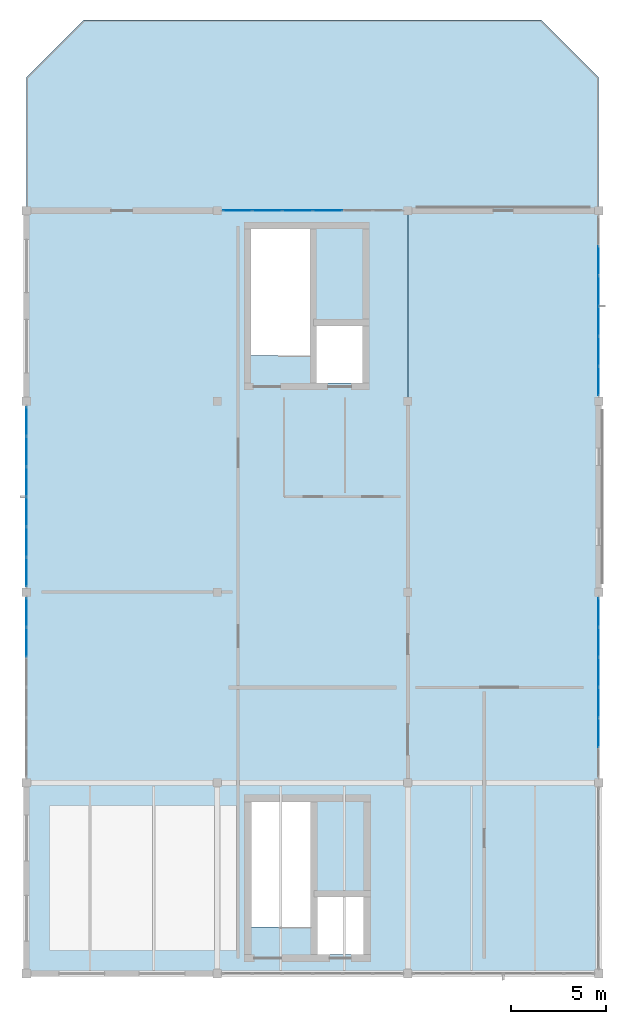
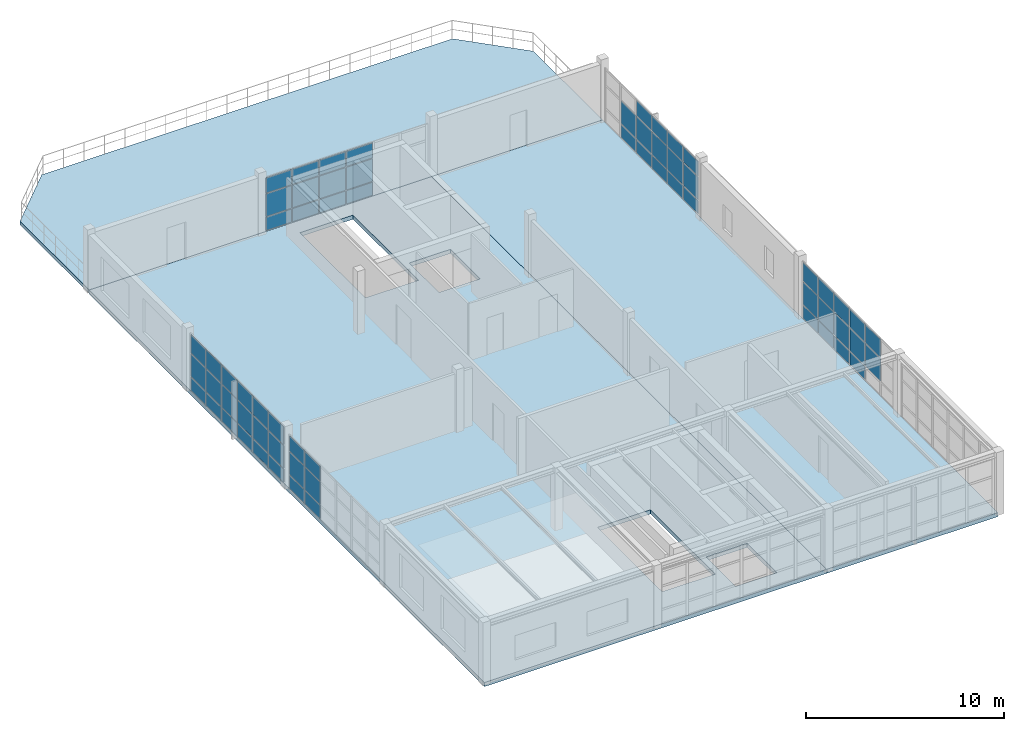
# One storey, part 8 of 11: 64 plates, 3 slabs, 5 elements without a shape of their own.
"""IFC4 building model written with IfcOpenShell, lengths in metres."""

from ifc_helpers import new_model, si_unit, direction, frame, origin, origin_2d, place, context, subcontext, project, spatial, polyline, rectangle, outline, extrude, material, layer, layer_set, type_object, element, aggregate, save


model = new_model("IFC4")

# Units and contexts
model_context = context("Model", 3, precision=1e-05, world=origin(), true_north=direction((0.0, 1.0)))
body_context = subcontext(model_context, "Body", "Model", "MODEL_VIEW")
ifc_project = project(units=[si_unit("LENGTHUNIT", "METRE"), si_unit("AREAUNIT", "SQUARE_METRE"), si_unit("VOLUMEUNIT", "CUBIC_METRE"), si_unit("PLANEANGLEUNIT", "RADIAN"), si_unit("MASSUNIT", "GRAM", prefix="KILO"), si_unit("THERMODYNAMICTEMPERATUREUNIT", "KELVIN"), si_unit("POWERUNIT", "WATT")], contexts=[model_context])

# Site, building, storey
site_placement = place(None, origin())
site = spatial("IfcSite", under=ifc_project, at=site_placement, CompositionType="ELEMENT")
building_placement = place(site_placement, origin())
building = spatial("IfcBuilding", under=site, at=building_placement, Name="Korenveer Ferry Terminal", CompositionType="ELEMENT")
storey_placement = place(building_placement, frame((0.0, 0.0, 18.300048828125)))
storey = spatial("IfcBuildingStorey", under=building, at=storey_placement, Name="L04", CompositionType="ELEMENT", Elevation=18.300048828125)

# Curtain wall, plates
ifc_material_1 = material(Name="Unitised bronze-and-glass curtain wall", Category="glass")
ifc_layer_1 = layer(ifc_material_1, 0.159912109375)
ifc_layer_set_1 = layer_set([ifc_layer_1], Name="Unitised bronze-and-glass curtain wall")
curtain_wall_type_1 = type_object("IfcCurtainWallType", Name="ENV-CW-131", PredefinedType="USERDEFINED", material=ifc_layer_set_1)
curtain_wall_1_placement = place(storey_placement, frame((10.2548828125, 60.0, 0.0)))
curtain_wall_1 = element("IfcCurtainWall", 1, at=curtain_wall_1_placement, inside=storey, type_object=curtain_wall_type_1, Name="Lancet curtain wall CWX-L04-X10-20-Y60-60", ObjectType="UNITISED CURTAIN WALL", PredefinedType="USERDEFINED")
ifc_material_2 = material(Name="Low-iron solar-control double glazing", Category="glass")
ifc_layer_2 = layer(ifc_material_2, 0.028076171875)
ifc_layer_set_2 = layer_set([ifc_layer_2], Name="Low-iron solar-control double glazing")
plate_type = type_object("IfcPlateType", Name="ENV-CWP-GLZ28", PredefinedType="CURTAIN_PANEL", material=ifc_layer_set_2)
plate_1_placement = place(storey_placement, frame((11.060791015625, 60.0, 0.059814453125), z_axis=(0.0, 0.0, 1.0), x_axis=(1.0, 0.0, 0.0)))
plate_1 = element("IfcPlate", 2, at=plate_1_placement, type_object=plate_type, Name="CW-131 panel 1.1", PredefinedType="CURTAIN_PANEL", context=body_context, shape_type="SweptSolid", body=[
    extrude(rectangle(XDim=1.49169921875, YDim=0.028076171875, at=origin_2d()), origin(), (0.0, 0.0, 1.0), 0.81005859375),
])
plate_2_placement = place(storey_placement, frame((11.060791015625, 60.0, 0.93017578125), z_axis=(0.0, 0.0, 1.0), x_axis=(1.0, 0.0, 0.0)))
plate_2 = element("IfcPlate", 3, at=plate_2_placement, type_object=plate_type, Name="CW-131 panel 1.2", PredefinedType="CURTAIN_PANEL", context=body_context, shape_type="SweptSolid", body=[
    extrude(rectangle(XDim=1.49169921875, YDim=0.028076171875, at=origin_2d()), origin(), (0.0, 0.0, 1.0), 1.389892578125),
])
plate_3_placement = place(storey_placement, frame((11.060791015625, 60.0, 2.3798828125), z_axis=(0.0, 0.0, 1.0), x_axis=(1.0, 0.0, 0.0)))
plate_3 = element("IfcPlate", 4, at=plate_3_placement, type_object=plate_type, Name="CW-131 panel 1.3", PredefinedType="CURTAIN_PANEL", context=body_context, shape_type="SweptSolid", body=[
    extrude(rectangle(XDim=1.49169921875, YDim=0.028076171875, at=origin_2d()), origin(), (0.0, 0.0, 1.0), 0.919921875),
])
plate_4_placement = place(storey_placement, frame((12.62744140625, 60.0, 0.059814453125), z_axis=(0.0, 0.0, 1.0), x_axis=(1.0, 0.0, 0.0)))
plate_4 = element("IfcPlate", 5, at=plate_4_placement, type_object=plate_type, Name="CW-131 panel 2.1", PredefinedType="CURTAIN_PANEL", context=body_context, shape_type="SweptSolid", body=[
    extrude(rectangle(XDim=1.521728515625, YDim=0.028076171875, at=origin_2d()), origin(), (0.0, 0.0, 1.0), 0.81005859375),
])
plate_5_placement = place(storey_placement, frame((12.62744140625, 60.0, 0.93017578125), z_axis=(0.0, 0.0, 1.0), x_axis=(1.0, 0.0, 0.0)))
plate_5 = element("IfcPlate", 6, at=plate_5_placement, type_object=plate_type, Name="CW-131 panel 2.2", PredefinedType="CURTAIN_PANEL", context=body_context, shape_type="SweptSolid", body=[
    extrude(rectangle(XDim=1.521728515625, YDim=0.028076171875, at=origin_2d()), origin(), (0.0, 0.0, 1.0), 1.389892578125),
])
plate_6_placement = place(storey_placement, frame((12.62744140625, 60.0, 2.3798828125), z_axis=(0.0, 0.0, 1.0), x_axis=(1.0, 0.0, 0.0)))
plate_6 = element("IfcPlate", 7, at=plate_6_placement, type_object=plate_type, Name="CW-131 panel 2.3", PredefinedType="CURTAIN_PANEL", context=body_context, shape_type="SweptSolid", body=[
    extrude(rectangle(XDim=1.521728515625, YDim=0.028076171875, at=origin_2d()), origin(), (0.0, 0.0, 1.0), 0.919921875),
])
plate_7_placement = place(storey_placement, frame((14.209228515625, 60.0, 0.059814453125), z_axis=(0.0, 0.0, 1.0), x_axis=(1.0, 0.0, 0.0)))
plate_7 = element("IfcPlate", 8, at=plate_7_placement, type_object=plate_type, Name="CW-131 panel 3.1", PredefinedType="CURTAIN_PANEL", context=body_context, shape_type="SweptSolid", body=[
    extrude(rectangle(XDim=1.521728515625, YDim=0.028076171875, at=origin_2d()), origin(), (0.0, 0.0, 1.0), 0.81005859375),
])
plate_8_placement = place(storey_placement, frame((14.209228515625, 60.0, 0.93017578125), z_axis=(0.0, 0.0, 1.0), x_axis=(1.0, 0.0, 0.0)))
plate_8 = element("IfcPlate", 9, at=plate_8_placement, type_object=plate_type, Name="CW-131 panel 3.2", PredefinedType="CURTAIN_PANEL", context=body_context, shape_type="SweptSolid", body=[
    extrude(rectangle(XDim=1.521728515625, YDim=0.028076171875, at=origin_2d()), origin(), (0.0, 0.0, 1.0), 1.389892578125),
])
plate_9_placement = place(storey_placement, frame((14.209228515625, 60.0, 2.3798828125), z_axis=(0.0, 0.0, 1.0), x_axis=(1.0, 0.0, 0.0)))
plate_9 = element("IfcPlate", 10, at=plate_9_placement, type_object=plate_type, Name="CW-131 panel 3.3", PredefinedType="CURTAIN_PANEL", context=body_context, shape_type="SweptSolid", body=[
    extrude(rectangle(XDim=1.521728515625, YDim=0.028076171875, at=origin_2d()), origin(), (0.0, 0.0, 1.0), 0.919921875),
])
plate_10_placement = place(storey_placement, frame((15.790771484375, 60.0, 0.059814453125), z_axis=(0.0, 0.0, 1.0), x_axis=(1.0, 0.0, 0.0)))
plate_10 = element("IfcPlate", 11, at=plate_10_placement, type_object=plate_type, Name="CW-131 panel 4.1", PredefinedType="CURTAIN_PANEL", context=body_context, shape_type="SweptSolid", body=[
    extrude(rectangle(XDim=1.521728515625, YDim=0.028076171875, at=origin_2d()), origin(), (0.0, 0.0, 1.0), 0.81005859375),
])
plate_11_placement = place(storey_placement, frame((15.790771484375, 60.0, 0.93017578125), z_axis=(0.0, 0.0, 1.0), x_axis=(1.0, 0.0, 0.0)))
plate_11 = element("IfcPlate", 12, at=plate_11_placement, type_object=plate_type, Name="CW-131 panel 4.2", PredefinedType="CURTAIN_PANEL", context=body_context, shape_type="SweptSolid", body=[
    extrude(rectangle(XDim=1.521728515625, YDim=0.028076171875, at=origin_2d()), origin(), (0.0, 0.0, 1.0), 1.389892578125),
])
plate_12_placement = place(storey_placement, frame((15.790771484375, 60.0, 2.3798828125), z_axis=(0.0, 0.0, 1.0), x_axis=(1.0, 0.0, 0.0)))
plate_12 = element("IfcPlate", 13, at=plate_12_placement, type_object=plate_type, Name="CW-131 panel 4.3", PredefinedType="CURTAIN_PANEL", context=body_context, shape_type="SweptSolid", body=[
    extrude(rectangle(XDim=1.521728515625, YDim=0.028076171875, at=origin_2d()), origin(), (0.0, 0.0, 1.0), 0.919921875),
])
aggregate(curtain_wall_1, [plate_1, plate_2, plate_3, plate_4, plate_5, plate_6, plate_7, plate_8, plate_9, plate_10, plate_11, plate_12])

curtain_wall_2_placement = place(storey_placement, frame((0.0, 30.2548828125, 0.0)))
curtain_wall_2 = element("IfcCurtainWall", 14, at=curtain_wall_2_placement, inside=storey, type_object=curtain_wall_type_1, Name="Lancet curtain wall CWX-L04-X0-0-Y30-40", ObjectType="UNITISED CURTAIN WALL", PredefinedType="USERDEFINED")
plate_13_placement = place(storey_placement, frame((0.0, 37.37255859375, 0.059814453125), z_axis=(0.0, 0.0, 1.0), x_axis=(0.0, 1.0, 0.0)))
plate_13 = element("IfcPlate", 15, at=plate_13_placement, type_object=plate_type, Name="CW-131 panel 5.1", PredefinedType="CURTAIN_PANEL", context=body_context, shape_type="SweptSolid", body=[
    extrude(rectangle(XDim=1.521728515625, YDim=0.028076171875, at=origin_2d()), origin(), (0.0, 0.0, 1.0), 0.81005859375),
])
plate_14_placement = place(storey_placement, frame((0.0, 37.37255859375, 0.93017578125), z_axis=(0.0, 0.0, 1.0), x_axis=(0.0, 1.0, 0.0)))
plate_14 = element("IfcPlate", 16, at=plate_14_placement, type_object=plate_type, Name="CW-131 panel 5.2", PredefinedType="CURTAIN_PANEL", context=body_context, shape_type="SweptSolid", body=[
    extrude(rectangle(XDim=1.521728515625, YDim=0.028076171875, at=origin_2d()), origin(), (0.0, 0.0, 1.0), 1.389892578125),
])
plate_15_placement = place(storey_placement, frame((0.0, 37.37255859375, 2.3798828125), z_axis=(0.0, 0.0, 1.0), x_axis=(0.0, 1.0, 0.0)))
plate_15 = element("IfcPlate", 17, at=plate_15_placement, type_object=plate_type, Name="CW-131 panel 5.3", PredefinedType="CURTAIN_PANEL", context=body_context, shape_type="SweptSolid", body=[
    extrude(rectangle(XDim=1.521728515625, YDim=0.028076171875, at=origin_2d()), origin(), (0.0, 0.0, 1.0), 0.919921875),
])
plate_16_placement = place(storey_placement, frame((0.0, 38.939208984375, 0.059814453125), z_axis=(0.0, 0.0, 1.0), x_axis=(0.0, 1.0, 0.0)))
plate_16 = element("IfcPlate", 18, at=plate_16_placement, type_object=plate_type, Name="CW-131 panel 6.1", PredefinedType="CURTAIN_PANEL", context=body_context, shape_type="SweptSolid", body=[
    extrude(rectangle(XDim=1.49169921875, YDim=0.028076171875, at=origin_2d()), origin(), (0.0, 0.0, 1.0), 0.81005859375),
])
plate_17_placement = place(storey_placement, frame((0.0, 38.939208984375, 0.93017578125), z_axis=(0.0, 0.0, 1.0), x_axis=(0.0, 1.0, 0.0)))
plate_17 = element("IfcPlate", 19, at=plate_17_placement, type_object=plate_type, Name="CW-131 panel 6.2", PredefinedType="CURTAIN_PANEL", context=body_context, shape_type="SweptSolid", body=[
    extrude(rectangle(XDim=1.49169921875, YDim=0.028076171875, at=origin_2d()), origin(), (0.0, 0.0, 1.0), 1.389892578125),
])
plate_18_placement = place(storey_placement, frame((0.0, 38.939208984375, 2.3798828125), z_axis=(0.0, 0.0, 1.0), x_axis=(0.0, 1.0, 0.0)))
plate_18 = element("IfcPlate", 20, at=plate_18_placement, type_object=plate_type, Name="CW-131 panel 6.3", PredefinedType="CURTAIN_PANEL", context=body_context, shape_type="SweptSolid", body=[
    extrude(rectangle(XDim=1.49169921875, YDim=0.028076171875, at=origin_2d()), origin(), (0.0, 0.0, 1.0), 0.919921875),
])
aggregate(curtain_wall_2, [plate_13, plate_14, plate_15, plate_16, plate_17, plate_18])

ifc_layer_3 = layer(ifc_material_1, 0.159912109375)
ifc_layer_set_3 = layer_set([ifc_layer_3], Name="Unitised bronze-and-glass curtain wall")
curtain_wall_type_2 = type_object("IfcCurtainWallType", Name="ENV-CW-132", PredefinedType="USERDEFINED", material=ifc_layer_set_3)
curtain_wall_3_placement = place(storey_placement, frame((0.0, 40.2548828125, 0.0)))
curtain_wall_3 = element("IfcCurtainWall", 21, at=curtain_wall_3_placement, inside=storey, type_object=curtain_wall_type_2, Name="Lancet curtain wall CWX-L04-X0-0-Y40-50", ObjectType="UNITISED CURTAIN WALL", PredefinedType="USERDEFINED")
plate_19_placement = place(storey_placement, frame((0.0, 41.060791015625, 0.059814453125), z_axis=(0.0, 0.0, 1.0), x_axis=(0.0, 1.0, 0.0)))
plate_19 = element("IfcPlate", 22, at=plate_19_placement, type_object=plate_type, Name="CW-132 panel 1.1", PredefinedType="CURTAIN_PANEL", context=body_context, shape_type="SweptSolid", body=[
    extrude(rectangle(XDim=1.49169921875, YDim=0.028076171875, at=origin_2d()), origin(), (0.0, 0.0, 1.0), 0.81005859375),
])
plate_20_placement = place(storey_placement, frame((0.0, 41.060791015625, 0.93017578125), z_axis=(0.0, 0.0, 1.0), x_axis=(0.0, 1.0, 0.0)))
plate_20 = element("IfcPlate", 23, at=plate_20_placement, type_object=plate_type, Name="CW-132 panel 1.2", PredefinedType="CURTAIN_PANEL", context=body_context, shape_type="SweptSolid", body=[
    extrude(rectangle(XDim=1.49169921875, YDim=0.028076171875, at=origin_2d()), origin(), (0.0, 0.0, 1.0), 1.389892578125),
])
plate_21_placement = place(storey_placement, frame((0.0, 41.060791015625, 2.3798828125), z_axis=(0.0, 0.0, 1.0), x_axis=(0.0, 1.0, 0.0)))
plate_21 = element("IfcPlate", 24, at=plate_21_placement, type_object=plate_type, Name="CW-132 panel 1.3", PredefinedType="CURTAIN_PANEL", context=body_context, shape_type="SweptSolid", body=[
    extrude(rectangle(XDim=1.49169921875, YDim=0.028076171875, at=origin_2d()), origin(), (0.0, 0.0, 1.0), 1.1201171875),
])
plate_22_placement = place(storey_placement, frame((0.0, 42.62744140625, 0.059814453125), z_axis=(0.0, 0.0, 1.0), x_axis=(0.0, 1.0, 0.0)))
plate_22 = element("IfcPlate", 25, at=plate_22_placement, type_object=plate_type, Name="CW-132 panel 2.1", PredefinedType="CURTAIN_PANEL", context=body_context, shape_type="SweptSolid", body=[
    extrude(rectangle(XDim=1.521728515625, YDim=0.028076171875, at=origin_2d()), origin(), (0.0, 0.0, 1.0), 0.81005859375),
])
plate_23_placement = place(storey_placement, frame((0.0, 42.62744140625, 0.93017578125), z_axis=(0.0, 0.0, 1.0), x_axis=(0.0, 1.0, 0.0)))
plate_23 = element("IfcPlate", 26, at=plate_23_placement, type_object=plate_type, Name="CW-132 panel 2.2", PredefinedType="CURTAIN_PANEL", context=body_context, shape_type="SweptSolid", body=[
    extrude(rectangle(XDim=1.521728515625, YDim=0.028076171875, at=origin_2d()), origin(), (0.0, 0.0, 1.0), 1.389892578125),
])
plate_24_placement = place(storey_placement, frame((0.0, 42.62744140625, 2.3798828125), z_axis=(0.0, 0.0, 1.0), x_axis=(0.0, 1.0, 0.0)))
plate_24 = element("IfcPlate", 27, at=plate_24_placement, type_object=plate_type, Name="CW-132 panel 2.3", PredefinedType="CURTAIN_PANEL", context=body_context, shape_type="SweptSolid", body=[
    extrude(rectangle(XDim=1.521728515625, YDim=0.028076171875, at=origin_2d()), origin(), (0.0, 0.0, 1.0), 1.1201171875),
])
plate_25_placement = place(storey_placement, frame((0.0, 44.209228515625, 0.059814453125), z_axis=(0.0, 0.0, 1.0), x_axis=(0.0, 1.0, 0.0)))
plate_25 = element("IfcPlate", 28, at=plate_25_placement, type_object=plate_type, Name="CW-132 panel 3.1", PredefinedType="CURTAIN_PANEL", context=body_context, shape_type="SweptSolid", body=[
    extrude(rectangle(XDim=1.521728515625, YDim=0.028076171875, at=origin_2d()), origin(), (0.0, 0.0, 1.0), 0.81005859375),
])
plate_26_placement = place(storey_placement, frame((0.0, 44.209228515625, 0.93017578125), z_axis=(0.0, 0.0, 1.0), x_axis=(0.0, 1.0, 0.0)))
plate_26 = element("IfcPlate", 29, at=plate_26_placement, type_object=plate_type, Name="CW-132 panel 3.2", PredefinedType="CURTAIN_PANEL", context=body_context, shape_type="SweptSolid", body=[
    extrude(rectangle(XDim=1.521728515625, YDim=0.028076171875, at=origin_2d()), origin(), (0.0, 0.0, 1.0), 1.389892578125),
])
plate_27_placement = place(storey_placement, frame((0.0, 44.209228515625, 2.3798828125), z_axis=(0.0, 0.0, 1.0), x_axis=(0.0, 1.0, 0.0)))
plate_27 = element("IfcPlate", 30, at=plate_27_placement, type_object=plate_type, Name="CW-132 panel 3.3", PredefinedType="CURTAIN_PANEL", context=body_context, shape_type="SweptSolid", body=[
    extrude(rectangle(XDim=1.521728515625, YDim=0.028076171875, at=origin_2d()), origin(), (0.0, 0.0, 1.0), 1.1201171875),
])
plate_28_placement = place(storey_placement, frame((0.0, 45.790771484375, 0.059814453125), z_axis=(0.0, 0.0, 1.0), x_axis=(0.0, 1.0, 0.0)))
plate_28 = element("IfcPlate", 31, at=plate_28_placement, type_object=plate_type, Name="CW-132 panel 4.1", PredefinedType="CURTAIN_PANEL", context=body_context, shape_type="SweptSolid", body=[
    extrude(rectangle(XDim=1.521728515625, YDim=0.028076171875, at=origin_2d()), origin(), (0.0, 0.0, 1.0), 0.81005859375),
])
plate_29_placement = place(storey_placement, frame((0.0, 45.790771484375, 0.93017578125), z_axis=(0.0, 0.0, 1.0), x_axis=(0.0, 1.0, 0.0)))
plate_29 = element("IfcPlate", 32, at=plate_29_placement, type_object=plate_type, Name="CW-132 panel 4.2", PredefinedType="CURTAIN_PANEL", context=body_context, shape_type="SweptSolid", body=[
    extrude(rectangle(XDim=1.521728515625, YDim=0.028076171875, at=origin_2d()), origin(), (0.0, 0.0, 1.0), 1.389892578125),
])
plate_30_placement = place(storey_placement, frame((0.0, 45.790771484375, 2.3798828125), z_axis=(0.0, 0.0, 1.0), x_axis=(0.0, 1.0, 0.0)))
plate_30 = element("IfcPlate", 33, at=plate_30_placement, type_object=plate_type, Name="CW-132 panel 4.3", PredefinedType="CURTAIN_PANEL", context=body_context, shape_type="SweptSolid", body=[
    extrude(rectangle(XDim=1.521728515625, YDim=0.028076171875, at=origin_2d()), origin(), (0.0, 0.0, 1.0), 1.1201171875),
])
plate_31_placement = place(storey_placement, frame((0.0, 47.37255859375, 0.059814453125), z_axis=(0.0, 0.0, 1.0), x_axis=(0.0, 1.0, 0.0)))
plate_31 = element("IfcPlate", 34, at=plate_31_placement, type_object=plate_type, Name="CW-132 panel 5.1", PredefinedType="CURTAIN_PANEL", context=body_context, shape_type="SweptSolid", body=[
    extrude(rectangle(XDim=1.521728515625, YDim=0.028076171875, at=origin_2d()), origin(), (0.0, 0.0, 1.0), 0.81005859375),
])
plate_32_placement = place(storey_placement, frame((0.0, 47.37255859375, 0.93017578125), z_axis=(0.0, 0.0, 1.0), x_axis=(0.0, 1.0, 0.0)))
plate_32 = element("IfcPlate", 35, at=plate_32_placement, type_object=plate_type, Name="CW-132 panel 5.2", PredefinedType="CURTAIN_PANEL", context=body_context, shape_type="SweptSolid", body=[
    extrude(rectangle(XDim=1.521728515625, YDim=0.028076171875, at=origin_2d()), origin(), (0.0, 0.0, 1.0), 1.389892578125),
])
plate_33_placement = place(storey_placement, frame((0.0, 47.37255859375, 2.3798828125), z_axis=(0.0, 0.0, 1.0), x_axis=(0.0, 1.0, 0.0)))
plate_33 = element("IfcPlate", 36, at=plate_33_placement, type_object=plate_type, Name="CW-132 panel 5.3", PredefinedType="CURTAIN_PANEL", context=body_context, shape_type="SweptSolid", body=[
    extrude(rectangle(XDim=1.521728515625, YDim=0.028076171875, at=origin_2d()), origin(), (0.0, 0.0, 1.0), 1.1201171875),
])
plate_34_placement = place(storey_placement, frame((0.0, 48.939208984375, 0.059814453125), z_axis=(0.0, 0.0, 1.0), x_axis=(0.0, 1.0, 0.0)))
plate_34 = element("IfcPlate", 37, at=plate_34_placement, type_object=plate_type, Name="CW-132 panel 6.1", PredefinedType="CURTAIN_PANEL", context=body_context, shape_type="SweptSolid", body=[
    extrude(rectangle(XDim=1.49169921875, YDim=0.028076171875, at=origin_2d()), origin(), (0.0, 0.0, 1.0), 0.81005859375),
])
plate_35_placement = place(storey_placement, frame((0.0, 48.939208984375, 0.93017578125), z_axis=(0.0, 0.0, 1.0), x_axis=(0.0, 1.0, 0.0)))
plate_35 = element("IfcPlate", 38, at=plate_35_placement, type_object=plate_type, Name="CW-132 panel 6.2", PredefinedType="CURTAIN_PANEL", context=body_context, shape_type="SweptSolid", body=[
    extrude(rectangle(XDim=1.49169921875, YDim=0.028076171875, at=origin_2d()), origin(), (0.0, 0.0, 1.0), 1.389892578125),
])
plate_36_placement = place(storey_placement, frame((0.0, 48.939208984375, 2.3798828125), z_axis=(0.0, 0.0, 1.0), x_axis=(0.0, 1.0, 0.0)))
plate_36 = element("IfcPlate", 39, at=plate_36_placement, type_object=plate_type, Name="CW-132 panel 6.3", PredefinedType="CURTAIN_PANEL", context=body_context, shape_type="SweptSolid", body=[
    extrude(rectangle(XDim=1.49169921875, YDim=0.028076171875, at=origin_2d()), origin(), (0.0, 0.0, 1.0), 1.1201171875),
])
aggregate(curtain_wall_3, [plate_19, plate_20, plate_21, plate_22, plate_23, plate_24, plate_25, plate_26, plate_27, plate_28, plate_29, plate_30, plate_31, plate_32, plate_33, plate_34, plate_35, plate_36])

curtain_wall_4_placement = place(storey_placement, frame((30.0, 39.7451171875, 0.0)))
curtain_wall_4 = element("IfcCurtainWall", 40, at=curtain_wall_4_placement, inside=storey, type_object=curtain_wall_type_2, Name="Lancet curtain wall CWX-L04-X30-30-Y30-40", ObjectType="UNITISED CURTAIN WALL", PredefinedType="USERDEFINED")
plate_37_placement = place(storey_placement, frame((30.0, 38.939208984375, 0.059814453125), z_axis=(0.0, 0.0, 1.0), x_axis=(0.0, -1.0, 0.0)))
plate_37 = element("IfcPlate", 41, at=plate_37_placement, type_object=plate_type, Name="CW-132 panel 1.1", PredefinedType="CURTAIN_PANEL", context=body_context, shape_type="SweptSolid", body=[
    extrude(rectangle(XDim=1.49169921875, YDim=0.028076171875, at=origin_2d()), origin(), (0.0, 0.0, 1.0), 0.81005859375),
])
plate_38_placement = place(storey_placement, frame((30.0, 38.939208984375, 0.93017578125), z_axis=(0.0, 0.0, 1.0), x_axis=(0.0, -1.0, 0.0)))
plate_38 = element("IfcPlate", 42, at=plate_38_placement, type_object=plate_type, Name="CW-132 panel 1.2", PredefinedType="CURTAIN_PANEL", context=body_context, shape_type="SweptSolid", body=[
    extrude(rectangle(XDim=1.49169921875, YDim=0.028076171875, at=origin_2d()), origin(), (0.0, 0.0, 1.0), 1.389892578125),
])
plate_39_placement = place(storey_placement, frame((30.0, 38.939208984375, 2.3798828125), z_axis=(0.0, 0.0, 1.0), x_axis=(0.0, -1.0, 0.0)))
plate_39 = element("IfcPlate", 43, at=plate_39_placement, type_object=plate_type, Name="CW-132 panel 1.3", PredefinedType="CURTAIN_PANEL", context=body_context, shape_type="SweptSolid", body=[
    extrude(rectangle(XDim=1.49169921875, YDim=0.028076171875, at=origin_2d()), origin(), (0.0, 0.0, 1.0), 1.1201171875),
])
plate_40_placement = place(storey_placement, frame((30.0, 37.37255859375, 0.059814453125), z_axis=(0.0, 0.0, 1.0), x_axis=(0.0, -1.0, 0.0)))
plate_40 = element("IfcPlate", 44, at=plate_40_placement, type_object=plate_type, Name="CW-132 panel 2.1", PredefinedType="CURTAIN_PANEL", context=body_context, shape_type="SweptSolid", body=[
    extrude(rectangle(XDim=1.521728515625, YDim=0.028076171875, at=origin_2d()), origin(), (0.0, 0.0, 1.0), 0.81005859375),
])
plate_41_placement = place(storey_placement, frame((30.0, 37.37255859375, 0.93017578125), z_axis=(0.0, 0.0, 1.0), x_axis=(0.0, -1.0, 0.0)))
plate_41 = element("IfcPlate", 45, at=plate_41_placement, type_object=plate_type, Name="CW-132 panel 2.2", PredefinedType="CURTAIN_PANEL", context=body_context, shape_type="SweptSolid", body=[
    extrude(rectangle(XDim=1.521728515625, YDim=0.028076171875, at=origin_2d()), origin(), (0.0, 0.0, 1.0), 1.389892578125),
])
plate_42_placement = place(storey_placement, frame((30.0, 37.37255859375, 2.3798828125), z_axis=(0.0, 0.0, 1.0), x_axis=(0.0, -1.0, 0.0)))
plate_42 = element("IfcPlate", 46, at=plate_42_placement, type_object=plate_type, Name="CW-132 panel 2.3", PredefinedType="CURTAIN_PANEL", context=body_context, shape_type="SweptSolid", body=[
    extrude(rectangle(XDim=1.521728515625, YDim=0.028076171875, at=origin_2d()), origin(), (0.0, 0.0, 1.0), 1.1201171875),
])
plate_43_placement = place(storey_placement, frame((30.0, 35.790771484375, 0.059814453125), z_axis=(0.0, 0.0, 1.0), x_axis=(0.0, -1.0, 0.0)))
plate_43 = element("IfcPlate", 47, at=plate_43_placement, type_object=plate_type, Name="CW-132 panel 3.1", PredefinedType="CURTAIN_PANEL", context=body_context, shape_type="SweptSolid", body=[
    extrude(rectangle(XDim=1.521728515625, YDim=0.028076171875, at=origin_2d()), origin(), (0.0, 0.0, 1.0), 0.81005859375),
])
plate_44_placement = place(storey_placement, frame((30.0, 35.790771484375, 0.93017578125), z_axis=(0.0, 0.0, 1.0), x_axis=(0.0, -1.0, 0.0)))
plate_44 = element("IfcPlate", 48, at=plate_44_placement, type_object=plate_type, Name="CW-132 panel 3.2", PredefinedType="CURTAIN_PANEL", context=body_context, shape_type="SweptSolid", body=[
    extrude(rectangle(XDim=1.521728515625, YDim=0.028076171875, at=origin_2d()), origin(), (0.0, 0.0, 1.0), 1.389892578125),
])
plate_45_placement = place(storey_placement, frame((30.0, 35.790771484375, 2.3798828125), z_axis=(0.0, 0.0, 1.0), x_axis=(0.0, -1.0, 0.0)))
plate_45 = element("IfcPlate", 49, at=plate_45_placement, type_object=plate_type, Name="CW-132 panel 3.3", PredefinedType="CURTAIN_PANEL", context=body_context, shape_type="SweptSolid", body=[
    extrude(rectangle(XDim=1.521728515625, YDim=0.028076171875, at=origin_2d()), origin(), (0.0, 0.0, 1.0), 1.1201171875),
])
plate_46_placement = place(storey_placement, frame((30.0, 34.209228515625, 0.059814453125), z_axis=(0.0, 0.0, 1.0), x_axis=(0.0, -1.0, 0.0)))
plate_46 = element("IfcPlate", 50, at=plate_46_placement, type_object=plate_type, Name="CW-132 panel 4.1", PredefinedType="CURTAIN_PANEL", context=body_context, shape_type="SweptSolid", body=[
    extrude(rectangle(XDim=1.521728515625, YDim=0.028076171875, at=origin_2d()), origin(), (0.0, 0.0, 1.0), 0.81005859375),
])
plate_47_placement = place(storey_placement, frame((30.0, 34.209228515625, 0.93017578125), z_axis=(0.0, 0.0, 1.0), x_axis=(0.0, -1.0, 0.0)))
plate_47 = element("IfcPlate", 51, at=plate_47_placement, type_object=plate_type, Name="CW-132 panel 4.2", PredefinedType="CURTAIN_PANEL", context=body_context, shape_type="SweptSolid", body=[
    extrude(rectangle(XDim=1.521728515625, YDim=0.028076171875, at=origin_2d()), origin(), (0.0, 0.0, 1.0), 1.389892578125),
])
plate_48_placement = place(storey_placement, frame((30.0, 34.209228515625, 2.3798828125), z_axis=(0.0, 0.0, 1.0), x_axis=(0.0, -1.0, 0.0)))
plate_48 = element("IfcPlate", 52, at=plate_48_placement, type_object=plate_type, Name="CW-132 panel 4.3", PredefinedType="CURTAIN_PANEL", context=body_context, shape_type="SweptSolid", body=[
    extrude(rectangle(XDim=1.521728515625, YDim=0.028076171875, at=origin_2d()), origin(), (0.0, 0.0, 1.0), 1.1201171875),
])
plate_49_placement = place(storey_placement, frame((30.0, 32.62744140625, 0.93017578125), z_axis=(0.0, 0.0, 1.0), x_axis=(0.0, -1.0, 0.0)))
plate_49 = element("IfcPlate", 53, at=plate_49_placement, type_object=plate_type, Name="CW-132 panel 5.2", PredefinedType="CURTAIN_PANEL", context=body_context, shape_type="SweptSolid", body=[
    extrude(rectangle(XDim=1.521728515625, YDim=0.028076171875, at=origin_2d()), origin(), (0.0, 0.0, 1.0), 1.389892578125),
])
plate_50_placement = place(storey_placement, frame((30.0, 32.62744140625, 2.3798828125), z_axis=(0.0, 0.0, 1.0), x_axis=(0.0, -1.0, 0.0)))
plate_50 = element("IfcPlate", 54, at=plate_50_placement, type_object=plate_type, Name="CW-132 panel 5.3", PredefinedType="CURTAIN_PANEL", context=body_context, shape_type="SweptSolid", body=[
    extrude(rectangle(XDim=1.521728515625, YDim=0.028076171875, at=origin_2d()), origin(), (0.0, 0.0, 1.0), 1.1201171875),
])
aggregate(curtain_wall_4, [plate_37, plate_38, plate_39, plate_40, plate_41, plate_42, plate_43, plate_44, plate_45, plate_46, plate_47, plate_48, plate_49, plate_50])

curtain_wall_5_placement = place(storey_placement, frame((30.0, 59.7451171875, 0.0)))
curtain_wall_5 = element("IfcCurtainWall", 55, at=curtain_wall_5_placement, inside=storey, type_object=curtain_wall_type_1, Name="Lancet curtain wall CWX-L04-X30-30-Y50-60", ObjectType="UNITISED CURTAIN WALL", PredefinedType="USERDEFINED")
plate_51_placement = place(storey_placement, frame((30.0, 57.37255859375, 0.059814453125), z_axis=(0.0, 0.0, 1.0), x_axis=(0.0, -1.0, 0.0)))
plate_51 = element("IfcPlate", 56, at=plate_51_placement, type_object=plate_type, Name="CW-131 panel 2.1", PredefinedType="CURTAIN_PANEL", context=body_context, shape_type="SweptSolid", body=[
    extrude(rectangle(XDim=1.521728515625, YDim=0.028076171875, at=origin_2d()), origin(), (0.0, 0.0, 1.0), 0.81005859375),
])
plate_52_placement = place(storey_placement, frame((30.0, 57.37255859375, 0.93017578125), z_axis=(0.0, 0.0, 1.0), x_axis=(0.0, -1.0, 0.0)))
plate_52 = element("IfcPlate", 57, at=plate_52_placement, type_object=plate_type, Name="CW-131 panel 2.2", PredefinedType="CURTAIN_PANEL", context=body_context, shape_type="SweptSolid", body=[
    extrude(rectangle(XDim=1.521728515625, YDim=0.028076171875, at=origin_2d()), origin(), (0.0, 0.0, 1.0), 1.389892578125),
])
plate_53_placement = place(storey_placement, frame((30.0, 55.790771484375, 0.059814453125), z_axis=(0.0, 0.0, 1.0), x_axis=(0.0, -1.0, 0.0)))
plate_53 = element("IfcPlate", 58, at=plate_53_placement, type_object=plate_type, Name="CW-131 panel 3.1", PredefinedType="CURTAIN_PANEL", context=body_context, shape_type="SweptSolid", body=[
    extrude(rectangle(XDim=1.521728515625, YDim=0.028076171875, at=origin_2d()), origin(), (0.0, 0.0, 1.0), 0.81005859375),
])
plate_54_placement = place(storey_placement, frame((30.0, 55.790771484375, 0.93017578125), z_axis=(0.0, 0.0, 1.0), x_axis=(0.0, -1.0, 0.0)))
plate_54 = element("IfcPlate", 59, at=plate_54_placement, type_object=plate_type, Name="CW-131 panel 3.2", PredefinedType="CURTAIN_PANEL", context=body_context, shape_type="SweptSolid", body=[
    extrude(rectangle(XDim=1.521728515625, YDim=0.028076171875, at=origin_2d()), origin(), (0.0, 0.0, 1.0), 1.389892578125),
])
plate_55_placement = place(storey_placement, frame((30.0, 55.790771484375, 2.3798828125), z_axis=(0.0, 0.0, 1.0), x_axis=(0.0, -1.0, 0.0)))
plate_55 = element("IfcPlate", 60, at=plate_55_placement, type_object=plate_type, Name="CW-131 panel 3.3", PredefinedType="CURTAIN_PANEL", context=body_context, shape_type="SweptSolid", body=[
    extrude(rectangle(XDim=1.521728515625, YDim=0.028076171875, at=origin_2d()), origin(), (0.0, 0.0, 1.0), 0.919921875),
])
plate_56_placement = place(storey_placement, frame((30.0, 54.209228515625, 0.059814453125), z_axis=(0.0, 0.0, 1.0), x_axis=(0.0, -1.0, 0.0)))
plate_56 = element("IfcPlate", 61, at=plate_56_placement, type_object=plate_type, Name="CW-131 panel 4.1", PredefinedType="CURTAIN_PANEL", context=body_context, shape_type="SweptSolid", body=[
    extrude(rectangle(XDim=1.521728515625, YDim=0.028076171875, at=origin_2d()), origin(), (0.0, 0.0, 1.0), 0.81005859375),
])
plate_57_placement = place(storey_placement, frame((30.0, 54.209228515625, 0.93017578125), z_axis=(0.0, 0.0, 1.0), x_axis=(0.0, -1.0, 0.0)))
plate_57 = element("IfcPlate", 62, at=plate_57_placement, type_object=plate_type, Name="CW-131 panel 4.2", PredefinedType="CURTAIN_PANEL", context=body_context, shape_type="SweptSolid", body=[
    extrude(rectangle(XDim=1.521728515625, YDim=0.028076171875, at=origin_2d()), origin(), (0.0, 0.0, 1.0), 1.389892578125),
])
plate_58_placement = place(storey_placement, frame((30.0, 54.209228515625, 2.3798828125), z_axis=(0.0, 0.0, 1.0), x_axis=(0.0, -1.0, 0.0)))
plate_58 = element("IfcPlate", 63, at=plate_58_placement, type_object=plate_type, Name="CW-131 panel 4.3", PredefinedType="CURTAIN_PANEL", context=body_context, shape_type="SweptSolid", body=[
    extrude(rectangle(XDim=1.521728515625, YDim=0.028076171875, at=origin_2d()), origin(), (0.0, 0.0, 1.0), 0.919921875),
])
plate_59_placement = place(storey_placement, frame((30.0, 52.62744140625, 0.059814453125), z_axis=(0.0, 0.0, 1.0), x_axis=(0.0, -1.0, 0.0)))
plate_59 = element("IfcPlate", 64, at=plate_59_placement, type_object=plate_type, Name="CW-131 panel 5.1", PredefinedType="CURTAIN_PANEL", context=body_context, shape_type="SweptSolid", body=[
    extrude(rectangle(XDim=1.521728515625, YDim=0.028076171875, at=origin_2d()), origin(), (0.0, 0.0, 1.0), 0.81005859375),
])
plate_60_placement = place(storey_placement, frame((30.0, 52.62744140625, 0.93017578125), z_axis=(0.0, 0.0, 1.0), x_axis=(0.0, -1.0, 0.0)))
plate_60 = element("IfcPlate", 65, at=plate_60_placement, type_object=plate_type, Name="CW-131 panel 5.2", PredefinedType="CURTAIN_PANEL", context=body_context, shape_type="SweptSolid", body=[
    extrude(rectangle(XDim=1.521728515625, YDim=0.028076171875, at=origin_2d()), origin(), (0.0, 0.0, 1.0), 1.389892578125),
])
plate_61_placement = place(storey_placement, frame((30.0, 52.62744140625, 2.3798828125), z_axis=(0.0, 0.0, 1.0), x_axis=(0.0, -1.0, 0.0)))
plate_61 = element("IfcPlate", 66, at=plate_61_placement, type_object=plate_type, Name="CW-131 panel 5.3", PredefinedType="CURTAIN_PANEL", context=body_context, shape_type="SweptSolid", body=[
    extrude(rectangle(XDim=1.521728515625, YDim=0.028076171875, at=origin_2d()), origin(), (0.0, 0.0, 1.0), 0.919921875),
])
plate_62_placement = place(storey_placement, frame((30.0, 51.060791015625, 0.059814453125), z_axis=(0.0, 0.0, 1.0), x_axis=(0.0, -1.0, 0.0)))
plate_62 = element("IfcPlate", 67, at=plate_62_placement, type_object=plate_type, Name="CW-131 panel 6.1", PredefinedType="CURTAIN_PANEL", context=body_context, shape_type="SweptSolid", body=[
    extrude(rectangle(XDim=1.49169921875, YDim=0.028076171875, at=origin_2d()), origin(), (0.0, 0.0, 1.0), 0.81005859375),
])
plate_63_placement = place(storey_placement, frame((30.0, 51.060791015625, 0.93017578125), z_axis=(0.0, 0.0, 1.0), x_axis=(0.0, -1.0, 0.0)))
plate_63 = element("IfcPlate", 68, at=plate_63_placement, type_object=plate_type, Name="CW-131 panel 6.2", PredefinedType="CURTAIN_PANEL", context=body_context, shape_type="SweptSolid", body=[
    extrude(rectangle(XDim=1.49169921875, YDim=0.028076171875, at=origin_2d()), origin(), (0.0, 0.0, 1.0), 1.389892578125),
])
plate_64_placement = place(storey_placement, frame((30.0, 51.060791015625, 2.3798828125), z_axis=(0.0, 0.0, 1.0), x_axis=(0.0, -1.0, 0.0)))
plate_64 = element("IfcPlate", 69, at=plate_64_placement, type_object=plate_type, Name="CW-131 panel 6.3", PredefinedType="CURTAIN_PANEL", context=body_context, shape_type="SweptSolid", body=[
    extrude(rectangle(XDim=1.49169921875, YDim=0.028076171875, at=origin_2d()), origin(), (0.0, 0.0, 1.0), 0.919921875),
])
aggregate(curtain_wall_5, [plate_51, plate_52, plate_53, plate_54, plate_55, plate_56, plate_57, plate_58, plate_59, plate_60, plate_61, plate_62, plate_63, plate_64])

# Slabs
ifc_material_3 = material(Name="Concrete C40/50", Category="concrete")
ifc_layer_4 = layer(ifc_material_3, 0.219970703125)
ifc_layer_set_4 = layer_set([ifc_layer_4], Name="Concrete C40/50")
slab_type_1 = type_object("IfcSlabType", Name="STR-SL-DECK220", PredefinedType="FLOOR", material=ifc_layer_set_4)
slab_1_placement = place(storey_placement, frame((0.0, 0.0, -0.219970703125)))
element("IfcSlab", 70, at=slab_1_placement, inside=storey, type_object=slab_type_1, Name="VTS Harbour Observation Terrace", PredefinedType="FLOOR", context=body_context, shape_type="SweptSolid", body=[
    extrude(outline(polyline([(0.0, 60.0), (30.0, 60.0), (30.0, 67.0), (27.0, 70.0), (3.0, 70.0), (0.0, 67.0), (0.0, 60.0)])), origin(), (0.0, 0.0, 1.0), 0.219970703125),
])
ifc_material_4 = material(Name="Concrete C35/45", Category="concrete")
ifc_layer_5 = layer(ifc_material_4, 0.25)
ifc_layer_set_5 = layer_set([ifc_layer_5], Name="Concrete C35/45")
slab_type_2 = type_object("IfcSlabType", Name="STR-SL-FLR250", PredefinedType="FLOOR", material=ifc_layer_set_5)
slab_2_placement = place(storey_placement, frame((0.0, 0.0, -0.25)))
element("IfcSlab", 71, at=slab_2_placement, inside=storey, type_object=slab_type_2, Name="Floor slab SL-L04-W1", PredefinedType="FLOOR", context=body_context, shape_type="SweptSolid", body=[
    extrude(outline(polyline([(0.0, 20.0), (20.0, 20.0), (20.0, 60.0), (0.0, 60.0), (0.0, 20.0)]), holes=[polyline([(14.89990234375, 22.449951171875), (14.89990234375, 29.0), (11.800048828125, 29.0), (11.800048828125, 22.449951171875), (14.89990234375, 22.449951171875)]), polyline([(15.260009765625, 21.0), (17.659912109375, 21.0), (17.659912109375, 24.0), (15.260009765625, 24.0), (15.260009765625, 21.0)]), polyline([(14.860107421875, 52.409912109375), (14.860107421875, 59.0400390625), (11.760009765625, 59.0400390625), (11.760009765625, 52.409912109375), (14.860107421875, 52.409912109375)]), polyline([(15.219970703125, 50.9599609375), (17.6201171875, 50.9599609375), (17.6201171875, 53.9599609375), (15.219970703125, 53.9599609375), (15.219970703125, 50.9599609375)])]), origin(), (0.0, 0.0, 1.0), 0.25),
])
slab_3_placement = place(storey_placement, frame((0.0, 0.0, -0.25)))
element("IfcSlab", 72, at=slab_3_placement, inside=storey, type_object=slab_type_2, Name="Floor slab SL-L04-W2", PredefinedType="FLOOR", context=body_context, shape_type="SweptSolid", body=[
    extrude(outline(polyline([(20.0, 20.0), (30.0, 20.0), (30.0, 60.0), (20.0, 60.0), (20.0, 20.0)])), origin(), (0.0, 0.0, 1.0), 0.25),
])

save(model, "model.ifc")
